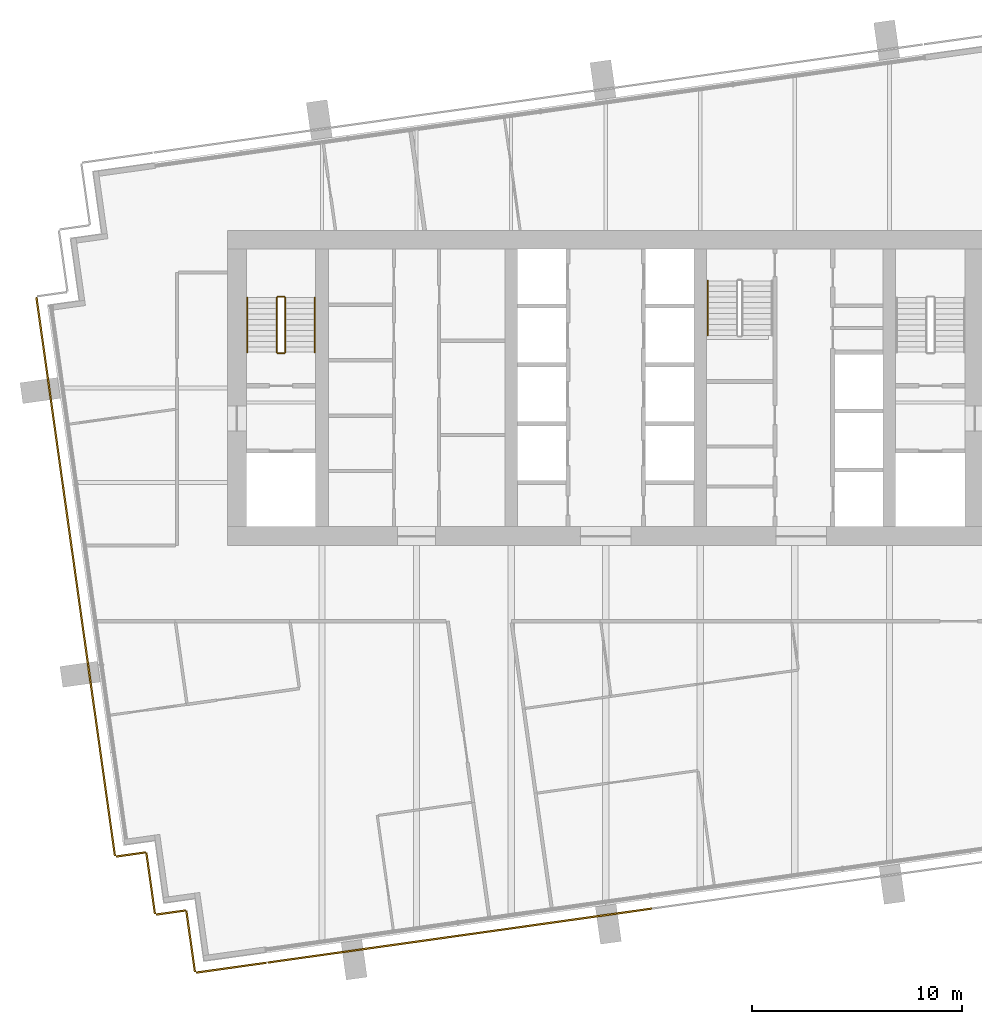
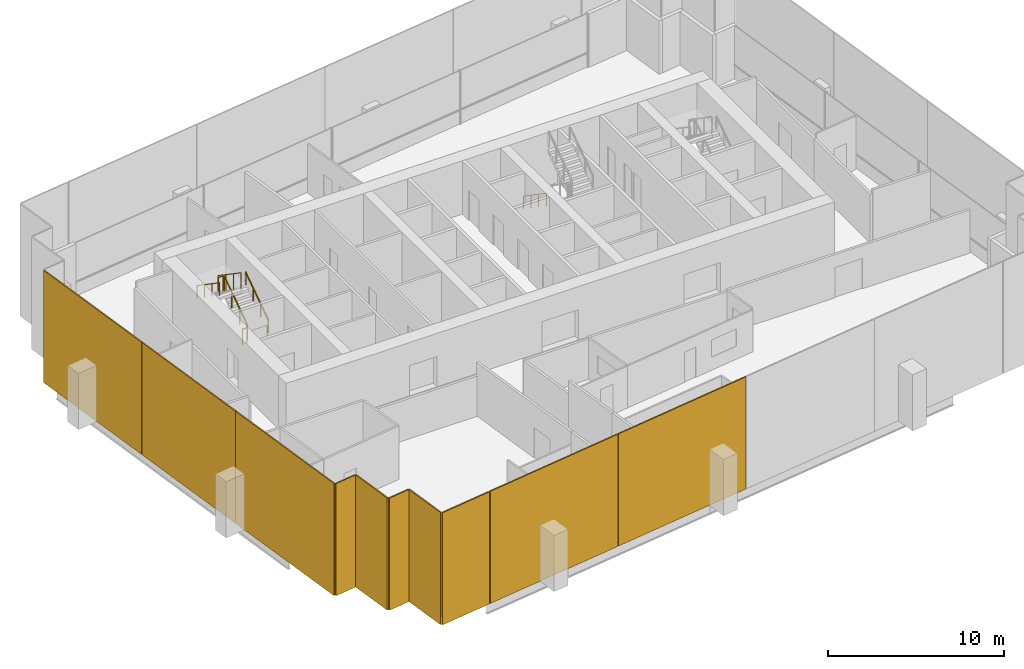
# One storey, part 12 of 15: 10 coverings, 7 railings.
"""IFC4 building model written with IfcOpenShell, lengths in metres."""

from ifc_helpers import new_model, si_unit, direction, frame, origin, origin_2d, place, context, subcontext, project, spatial, rectangle, extrude, material, layer, layer_set, type_object, element, save


model = new_model("IFC4")

# Units and contexts
model_context = context("Model", 3, precision=1e-05, world=origin(), true_north=direction((0.0, 1.0)))
body_context = subcontext(model_context, "Body", "Model", "MODEL_VIEW")
ifc_project = project(units=[si_unit("LENGTHUNIT", "METRE"), si_unit("AREAUNIT", "SQUARE_METRE"), si_unit("VOLUMEUNIT", "CUBIC_METRE"), si_unit("PLANEANGLEUNIT", "RADIAN"), si_unit("MASSUNIT", "GRAM", prefix="KILO")], contexts=[model_context])

# Site, building, storey
site_placement = place(None, origin())
site = spatial("IfcSite", under=ifc_project, at=site_placement, CompositionType="ELEMENT")
building_placement = place(site_placement, origin())
building = spatial("IfcBuilding", under=site, at=building_placement, Name="Rattan Terrace Tower", CompositionType="ELEMENT")
storey_placement = place(building_placement, frame((0.0, 0.0, 255.10009765625)))
storey = spatial("IfcBuildingStorey", under=building, at=storey_placement, Name="L58", CompositionType="ELEMENT", Elevation=255.10009765625)

# Railings
ifc_material_1 = material(Name="Powder-coated steel guard", Category="steel")
railing_type_1 = type_object("IfcRailingType", Name="Core stair guard", PredefinedType="GUARDRAIL", material=ifc_material_1)
railing_1_placement = place(storey_placement, frame((-15.25, 1.699951171875, 0.17724609375)))
element("IfcRailing", 1, at=railing_1_placement, inside=storey, type_object=railing_type_1, Name="L58 S1 stair guard 1", PredefinedType="GUARDRAIL", context=body_context, shape_type="SweptSolid", body=[
    extrude(rectangle(XDim=0.048095703125, YDim=0.048095703125, at=origin_2d()), frame((0.0, 0.0, 1.076171875), z_axis=(0.0, 0.826240473404, 0.563317565952), x_axis=(-1.0, 0.0, 0.0)), (0.0, 0.0, 1.0), 3.14697265625),
    extrude(rectangle(XDim=0.0419921875, YDim=0.0419921875, at=origin_2d()), origin(), (0.0, 0.0, 1.0), 1.052001953125),
    extrude(rectangle(XDim=0.0419921875, YDim=0.0419921875, at=origin_2d()), frame((0.0, 0.86669921875, 0.5908203125)), (0.0, 0.0, 1.0), 1.052001953125),
    extrude(rectangle(XDim=0.0419921875, YDim=0.0419921875, at=origin_2d()), frame((0.0, 1.7333984375, 1.181884765625)), (0.0, 0.0, 1.0), 1.052001953125),
    extrude(rectangle(XDim=0.0419921875, YDim=0.0419921875, at=origin_2d()), frame((0.0, 2.60009765625, 1.772705078125)), (0.0, 0.0, 1.0), 1.052001953125),
])
railing_2_placement = place(storey_placement, frame((-15.300048828125, 4.35009765625, 1.949951171875)))
element("IfcRailing", 2, at=railing_2_placement, inside=storey, type_object=railing_type_1, Name="L58 S1 stair guard 2", PredefinedType="GUARDRAIL", context=body_context, shape_type="SweptSolid", body=[
    extrude(rectangle(XDim=0.048095703125, YDim=0.048095703125, at=origin_2d()), frame((0.0, 0.0, 1.076171875), z_axis=(-1.0, 0.0, 0.0), x_axis=(0.0, -1.0, 0.0)), (0.0, 0.0, 1.0), 0.300048828125),
    extrude(rectangle(XDim=0.0419921875, YDim=0.0419921875, at=origin_2d()), origin(), (0.0, 0.0, 1.0), 1.052001953125),
    extrude(rectangle(XDim=0.0419921875, YDim=0.0419921875, at=origin_2d()), frame((-0.300048828125, 0.0, 0.0)), (0.0, 0.0, 1.0), 1.052001953125),
])
railing_3_placement = place(storey_placement, frame((-15.64990234375, 4.300048828125, 2.127197265625)))
element("IfcRailing", 3, at=railing_3_placement, inside=storey, type_object=railing_type_1, Name="L58 S1 stair guard 3", PredefinedType="GUARDRAIL", context=body_context, shape_type="SweptSolid", body=[
    extrude(rectangle(XDim=0.048095703125, YDim=0.048095703125, at=origin_2d()), frame((0.0, 0.0, 1.076171875), z_axis=(0.0, -0.826240473404, 0.563317565952), x_axis=(1.0, 0.0, 0.0)), (0.0, 0.0, 1.0), 3.14697265625),
    extrude(rectangle(XDim=0.0419921875, YDim=0.0419921875, at=origin_2d()), origin(), (0.0, 0.0, 1.0), 1.052001953125),
    extrude(rectangle(XDim=0.0419921875, YDim=0.0419921875, at=origin_2d()), frame((0.0, -0.86669921875, 0.5908203125)), (0.0, 0.0, 1.0), 1.052001953125),
    extrude(rectangle(XDim=0.0419921875, YDim=0.0419921875, at=origin_2d()), frame((0.0, -1.7333984375, 1.181884765625)), (0.0, 0.0, 1.0), 1.052001953125),
    extrude(rectangle(XDim=0.0419921875, YDim=0.0419921875, at=origin_2d()), frame((0.0, -2.60009765625, 1.772705078125)), (0.0, 0.0, 1.0), 1.052001953125),
])
railing_4_placement = place(storey_placement, frame((-15.300048828125, 1.64990234375, 0.0)))
element("IfcRailing", 4, at=railing_4_placement, inside=storey, type_object=railing_type_1, Name="L58 S1 stair guard 4", PredefinedType="GUARDRAIL", context=body_context, shape_type="SweptSolid", body=[
    extrude(rectangle(XDim=0.048095703125, YDim=0.048095703125, at=origin_2d()), frame((0.0, 0.0, 1.076171875), z_axis=(-1.0, 0.0, 0.0), x_axis=(0.0, -1.0, 0.0)), (0.0, 0.0, 1.0), 0.300048828125),
    extrude(rectangle(XDim=0.0419921875, YDim=0.0419921875, at=origin_2d()), origin(), (0.0, 0.0, 1.0), 1.052001953125),
    extrude(rectangle(XDim=0.0419921875, YDim=0.0419921875, at=origin_2d()), frame((-0.300048828125, 0.0, 0.0)), (0.0, 0.0, 1.0), 1.052001953125),
])
ifc_material_2 = material(Name="Powder-coated steel handrail", Category="steel")
railing_type_2 = type_object("IfcRailingType", Name="Core stair handrail", PredefinedType="HANDRAIL", material=ifc_material_2)
railing_5_placement = place(storey_placement, frame((-13.85009765625, 1.699951171875, 0.17724609375)))
element("IfcRailing", 5, at=railing_5_placement, inside=storey, type_object=railing_type_2, Name="L58 S1 stair handrail 1", PredefinedType="HANDRAIL", context=body_context, shape_type="SweptSolid", body=[
    extrude(rectangle(XDim=0.048095703125, YDim=0.048095703125, at=origin_2d()), frame((0.0, 0.0, 0.8759765625), z_axis=(0.0, 0.826240473404, 0.563317565952), x_axis=(-1.0, 0.0, 0.0)), (0.0, 0.0, 1.0), 3.14697265625),
    extrude(rectangle(XDim=0.0419921875, YDim=0.0419921875, at=origin_2d()), origin(), (0.0, 0.0, 1.0), 0.851806640625),
    extrude(rectangle(XDim=0.0419921875, YDim=0.0419921875, at=origin_2d()), frame((0.0, 0.86669921875, 0.5908203125)), (0.0, 0.0, 1.0), 0.851806640625),
    extrude(rectangle(XDim=0.0419921875, YDim=0.0419921875, at=origin_2d()), frame((0.0, 1.7333984375, 1.181884765625)), (0.0, 0.0, 1.0), 0.851806640625),
    extrude(rectangle(XDim=0.0419921875, YDim=0.0419921875, at=origin_2d()), frame((0.0, 2.60009765625, 1.772705078125)), (0.0, 0.0, 1.0), 0.851806640625),
])
for number, where, name in (
    (6, (-17.050048828125, 4.300048828125, 2.127197265625), "L58 S1 stair handrail 2"),
    (7, (4.85009765625, 5.10009765625, 0.17724609375), "L58 S3 stair handrail 1"),
):
    element("IfcRailing", number, at=place(storey_placement, frame(where)), inside=storey, type_object=railing_type_2, Name=name, PredefinedType="HANDRAIL", context=body_context, shape_type="SweptSolid", body=[
        extrude(rectangle(XDim=0.048095703125, YDim=0.048095703125, at=origin_2d()), frame((0.0, 0.0, 0.8759765625), z_axis=(0.0, -0.826240473404, 0.563317565952), x_axis=(1.0, 0.0, 0.0)), (0.0, 0.0, 1.0), 3.14697265625),
        extrude(rectangle(XDim=0.0419921875, YDim=0.0419921875, at=origin_2d()), origin(), (0.0, 0.0, 1.0), 0.851806640625),
        extrude(rectangle(XDim=0.0419921875, YDim=0.0419921875, at=origin_2d()), frame((0.0, -0.86669921875, 0.5908203125)), (0.0, 0.0, 1.0), 0.851806640625),
        extrude(rectangle(XDim=0.0419921875, YDim=0.0419921875, at=origin_2d()), frame((0.0, -1.7333984375, 1.181884765625)), (0.0, 0.0, 1.0), 0.851806640625),
        extrude(rectangle(XDim=0.0419921875, YDim=0.0419921875, at=origin_2d()), frame((0.0, -2.60009765625, 1.772705078125)), (0.0, 0.0, 1.0), 0.851806640625),
    ])

# Coverings
ifc_material_3 = material(Name="Perforated terracotta", Category="masonry")
ifc_layer = layer(ifc_material_3, 0.080078125)
ifc_layer_set = layer_set([ifc_layer], Name="Facade Terracotta Screen Panel HZ")
covering_type = type_object("IfcCoveringType", Name="Facade Terracotta Screen Panel HZ", PredefinedType="CLADDING", material=ifc_layer_set)
covering_1_placement = place(storey_placement, frame((-26.45263671875, -0.183349609375, -0.18994140625), z_axis=(0.0, 0.0, 1.0), x_axis=(0.139191775431, -0.990265444036, 0.0)))
element("IfcCovering", 8, at=covering_1_placement, inside=storey, type_object=covering_type, Name="OUTER SKIN panel L58-23", PredefinedType="CLADDING", context=body_context, shape_type="SweptSolid", body=[
    extrude(rectangle(XDim=9.06689453125, YDim=0.080078125, at=origin_2d()), origin(), (0.0, 0.0, 1.0), 7.780029296875),
])
covering_2_placement = place(storey_placement, frame((-25.217041015625, -8.973876953125, -0.18994140625), z_axis=(0.0, 0.0, 1.0), x_axis=(0.139191775431, -0.990265444036, 0.0)))
element("IfcCovering", 9, at=covering_2_placement, inside=storey, type_object=covering_type, Name="OUTER SKIN panel L58-24", PredefinedType="CLADDING", context=body_context, shape_type="SweptSolid", body=[
    extrude(rectangle(XDim=8.64697265625, YDim=0.080078125, at=origin_2d()), origin(), (0.0, 0.0, 1.0), 7.780029296875),
])
covering_3_placement = place(storey_placement, frame((-23.9814453125, -17.76416015625, -0.18994140625), z_axis=(0.0, 0.0, 1.0), x_axis=(0.139191775431, -0.990265444036, 0.0)))
element("IfcCovering", 10, at=covering_3_placement, inside=storey, type_object=covering_type, Name="OUTER SKIN panel L58-25", PredefinedType="CLADDING", context=body_context, shape_type="SweptSolid", body=[
    extrude(rectangle(XDim=9.066162109375, YDim=0.080078125, at=origin_2d()), origin(), (0.0, 0.0, 1.0), 7.780029296875),
])
covering_4_placement = place(storey_placement, frame((-22.591064453125, -22.19677734375, -0.18994140625), z_axis=(0.0, 0.0, 1.0), x_axis=(0.990240767803, 0.139367219175, 0.0)))
element("IfcCovering", 11, at=covering_4_placement, inside=storey, type_object=covering_type, Name="OUTER SKIN panel L58-26", PredefinedType="CLADDING", context=body_context, shape_type="SweptSolid", body=[
    extrude(rectangle(XDim=1.419677734375, YDim=0.080078125, at=origin_2d()), origin(), (0.0, 0.0, 1.0), 7.780029296875),
])
covering_5_placement = place(storey_placement, frame((-21.65087890625, -23.569091796875, -0.18994140625), z_axis=(0.0, 0.0, 1.0), x_axis=(0.139321220646, -0.990247240581, 0.0)))
element("IfcCovering", 12, at=covering_5_placement, inside=storey, type_object=covering_type, Name="OUTER SKIN panel L58-27", PredefinedType="CLADDING", context=body_context, shape_type="SweptSolid", body=[
    extrude(rectangle(XDim=2.919921875, YDim=0.080078125, at=origin_2d()), origin(), (0.0, 0.0, 1.0), 7.780029296875),
])
covering_6_placement = place(storey_placement, frame((-20.68798828125, -24.958984375, -0.18994140625), z_axis=(0.0, 0.0, 1.0), x_axis=(0.990332587523, 0.138713251317, 0.0)))
element("IfcCovering", 13, at=covering_6_placement, inside=storey, type_object=covering_type, Name="OUTER SKIN panel L58-28", PredefinedType="CLADDING", context=body_context, shape_type="SweptSolid", body=[
    extrude(rectangle(XDim=1.41943359375, YDim=0.080078125, at=origin_2d()), origin(), (0.0, 0.0, 1.0), 7.780029296875),
])
covering_7_placement = place(storey_placement, frame((-19.747802734375, -26.33154296875, -0.18994140625), z_axis=(0.0, 0.0, 1.0), x_axis=(0.139367219175, -0.990240767803, 0.0)))
element("IfcCovering", 14, at=covering_7_placement, inside=storey, type_object=covering_type, Name="OUTER SKIN panel L58-29", PredefinedType="CLADDING", context=body_context, shape_type="SweptSolid", body=[
    extrude(rectangle(XDim=2.91943359375, YDim=0.080078125, at=origin_2d()), origin(), (0.0, 0.0, 1.0), 7.780029296875),
])
covering_8_placement = place(storey_placement, frame((-17.81982421875, -27.585205078125, -0.18994140625), z_axis=(0.0, 0.0, 1.0), x_axis=(0.990286729519, 0.139040257974, 0.0)))
element("IfcCovering", 15, at=covering_8_placement, inside=storey, type_object=covering_type, Name="OUTER SKIN panel L58-30", PredefinedType="CLADDING", context=body_context, shape_type="SweptSolid", body=[
    extrude(rectangle(XDim=3.368896484375, YDim=0.080078125, at=origin_2d()), origin(), (0.0, 0.0, 1.0), 7.780029296875),
])
covering_9_placement = place(storey_placement, frame((-11.517578125, -26.69970703125, -0.18994140625), z_axis=(0.0, 0.0, 1.0), x_axis=(0.990265894013, 0.139188574079, 0.0)))
element("IfcCovering", 16, at=covering_9_placement, inside=storey, type_object=covering_type, Name="OUTER SKIN panel L58-31", PredefinedType="CLADDING", context=body_context, shape_type="SweptSolid", body=[
    extrude(rectangle(XDim=9.198974609375, YDim=0.080078125, at=origin_2d()), origin(), (0.0, 0.0, 1.0), 7.780029296875),
])
covering_10_placement = place(storey_placement, frame((-2.37353515625, -25.41455078125, -0.18994140625), z_axis=(0.0, 0.0, 1.0), x_axis=(0.990265894013, 0.139188574079, 0.0)))
element("IfcCovering", 17, at=covering_10_placement, inside=storey, type_object=covering_type, Name="OUTER SKIN panel L58-32", PredefinedType="CLADDING", context=body_context, shape_type="SweptSolid", body=[
    extrude(rectangle(XDim=9.22900390625, YDim=0.080078125, at=origin_2d()), origin(), (0.0, 0.0, 1.0), 7.780029296875),
])

save(model, "model.ifc")
